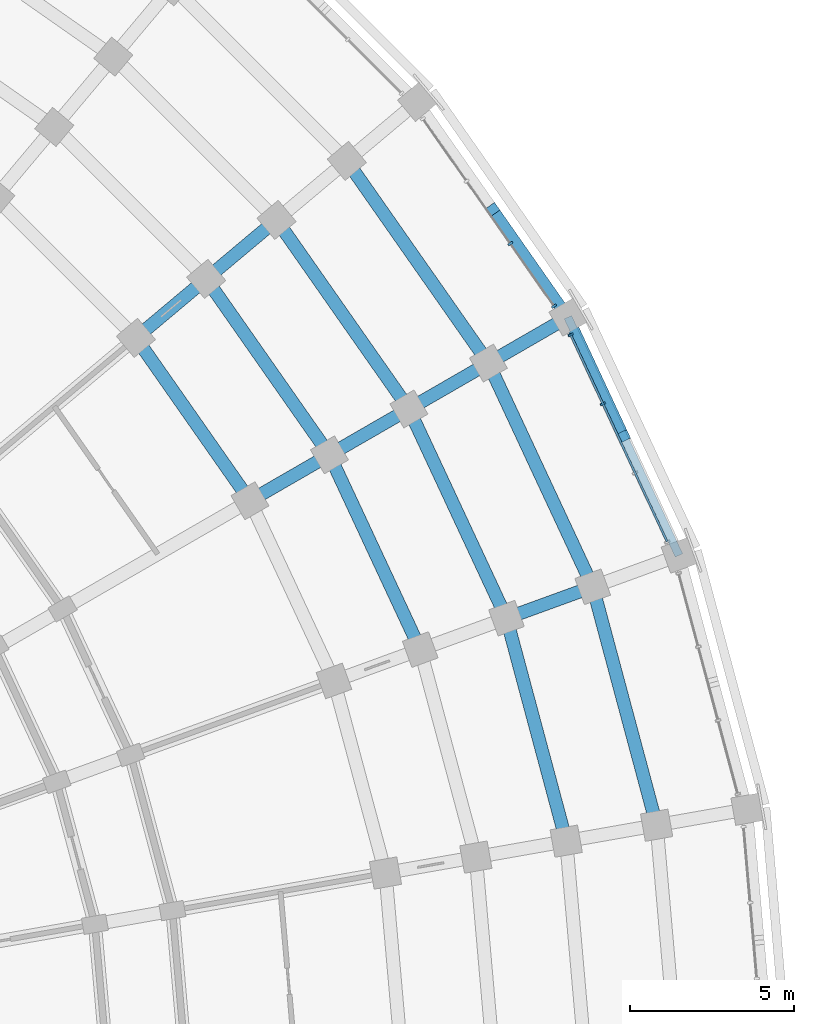
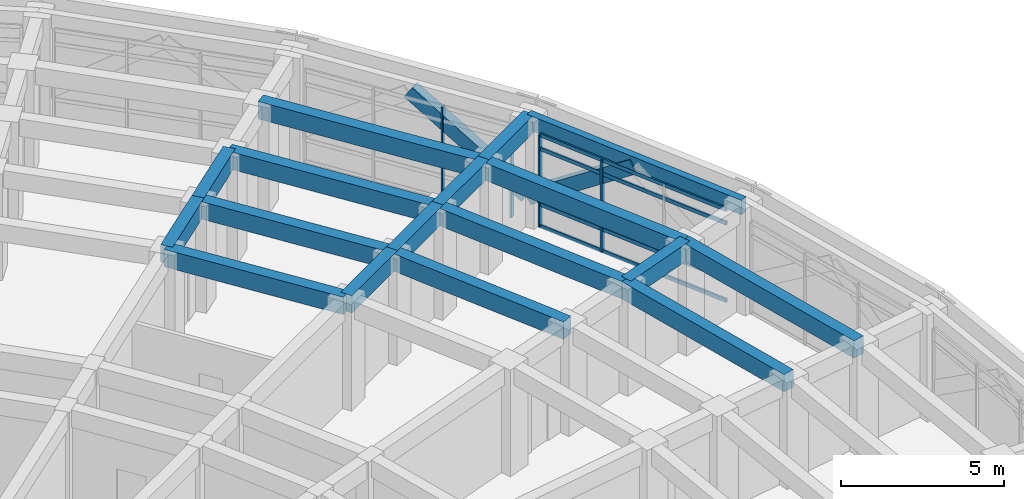
# One storey, part 34 of 97: 19 beams, 8 members, 2 elements without a shape of their own.
"""IFC4 building model written with IfcOpenShell, lengths in metres."""

from ifc_helpers import new_model, si_unit, direction, frame, origin, origin_2d, place, context, subcontext, project, spatial, rectangle, extrude, material, material_profile, profile_set, type_object, element, aggregate, save


model = new_model("IFC4")

# Units and contexts
model_context = context("Model", 3, precision=1e-05, world=origin(), true_north=direction((0.0, 1.0)))
body_context = subcontext(model_context, "Body", "Model", "MODEL_VIEW")
ifc_project = project(units=[si_unit("LENGTHUNIT", "METRE"), si_unit("AREAUNIT", "SQUARE_METRE"), si_unit("VOLUMEUNIT", "CUBIC_METRE"), si_unit("PLANEANGLEUNIT", "RADIAN"), si_unit("MASSUNIT", "GRAM", prefix="KILO")], contexts=[model_context])

# Site, building, storey
site_placement = place(None, origin())
site = spatial("IfcSite", under=ifc_project, at=site_placement, CompositionType="ELEMENT")
building_placement = place(site_placement, origin())
building = spatial("IfcBuilding", under=site, at=building_placement, Name="Kiranvali Square Residences", CompositionType="ELEMENT")
storey_placement = place(building_placement, frame((0.0, 0.0, 4.5)))
storey = spatial("IfcBuildingStorey", under=building, at=storey_placement, Name="L01", CompositionType="ELEMENT", Elevation=4.5)

# Beams
ifc_material_1 = material(Name="Concrete M40 (40 MPa)", Category="concrete")
ifc_material_profile_1 = material_profile(ifc_material_1, rectangle(XDim=0.35009765625, YDim=0.5, at=origin_2d()), Name="RC 350x500")
ifc_profile_set_1 = profile_set([ifc_material_profile_1], Name="Concrete M40 (40 MPa)")
beam_type_1 = type_object("IfcBeamType", Name="AR-M40-350x500", PredefinedType="USERDEFINED", material=ifc_profile_set_1)
beam_1_placement = place(storey_placement, frame((157.337646484375, 114.084228515625, 3.64990234375), z_axis=(0.47146348297, -0.673345915945, -0.569497551975), x_axis=(0.819162563309, 0.57356141334, 0.0)))
element("IfcBeam", 1, at=beam_1_placement, inside=storey, type_object=beam_type_1, Name="Classical pointed Ottoman arch rib ARCH-B-CRV-7-05.2", ObjectType="ARCH RIB", PredefinedType="USERDEFINED", context=body_context, shape_type="SweptSolid", body=[
    extrude(rectangle(XDim=0.35009765625, YDim=0.5, at=origin_2d()), origin(), (0.0, 0.0, 1.0), 4.828857421875),
])
beam_2_placement = place(storey_placement, frame((159.654052734375, 110.763671875, 0.89990234375), z_axis=(0.347401853205, -0.744959817365, 0.56951455021), x_axis=(0.906297821759, 0.422639631689, 0.0)))
element("IfcBeam", 2, at=beam_2_placement, inside=storey, type_object=beam_type_1, Name="Classical pointed Ottoman arch rib ARCH-B-CRV-7-06.1", ObjectType="ARCH RIB", PredefinedType="USERDEFINED", context=body_context, shape_type="SweptSolid", body=[
    extrude(rectangle(XDim=0.35009765625, YDim=0.5, at=origin_2d()), origin(), (0.0, 0.0, 1.0), 4.82861328125),
])
ifc_material_2 = material(Name="Concrete M45 (45 MPa)", Category="concrete")
ifc_material_profile_2 = material_profile(ifc_material_2, rectangle(XDim=0.39990234375, YDim=0.64990234375, at=origin_2d()), Name="RC 400x650")
ifc_profile_set_2 = profile_set([ifc_material_profile_2], Name="Concrete M45 (45 MPa)")
beam_type_2 = type_object("IfcBeamType", Name="BM-M45-400x650", PredefinedType="BEAM", material=ifc_profile_set_2)
beam_3_placement = place(storey_placement, frame((146.458251953125, 110.1689453125, 3.655029296875), z_axis=(0.573594691504, -0.81913926159, 0.0), x_axis=(0.81913926159, 0.573594691504, 0.0)))
element("IfcBeam", 3, at=beam_3_placement, inside=storey, type_object=beam_type_2, Name="L01 beam BM-B-L01-C05-R3", PredefinedType="BEAM", context=body_context, shape_type="SweptSolid", body=[
    extrude(rectangle(XDim=0.39990234375, YDim=0.64990234375, at=origin_2d()), origin(), (0.0, 0.0, 1.0), 6.066162109375),
])
beam_4_placement = place(storey_placement, frame((148.603271484375, 111.96875, 3.655029296875), z_axis=(0.573587340268, -0.819144409176, 0.0), x_axis=(0.819144409176, 0.573587340268, 0.0)))
element("IfcBeam", 4, at=beam_4_placement, inside=storey, type_object=beam_type_2, Name="L01 beam BM-B-L01-C05-R4", PredefinedType="BEAM", context=body_context, shape_type="SweptSolid", body=[
    extrude(rectangle(XDim=0.39990234375, YDim=0.64990234375, at=origin_2d()), origin(), (0.0, 0.0, 1.0), 6.553955078125),
])
beam_5_placement = place(storey_placement, frame((150.748291015625, 113.7685546875, 3.655029296875), z_axis=(0.57356471828, -0.819160249246, 0.0), x_axis=(0.819160249246, 0.57356471828, 0.0)))
element("IfcBeam", 5, at=beam_5_placement, inside=storey, type_object=beam_type_2, Name="L01 beam BM-B-L01-C05-R5", PredefinedType="BEAM", context=body_context, shape_type="SweptSolid", body=[
    extrude(rectangle(XDim=0.39990234375, YDim=0.64990234375, at=origin_2d()), origin(), (0.0, 0.0, 1.0), 7.0419921875),
])
beam_6_placement = place(storey_placement, frame((152.89306640625, 115.568359375, 3.655029296875), z_axis=(0.573588539275, -0.819143569597, 0.0), x_axis=(0.819143569597, 0.573588539275, 0.0)))
element("IfcBeam", 6, at=beam_6_placement, inside=storey, type_object=beam_type_2, Name="L01 beam BM-B-L01-C05-R6", PredefinedType="BEAM", context=body_context, shape_type="SweptSolid", body=[
    extrude(rectangle(XDim=0.39990234375, YDim=0.64990234375, at=origin_2d()), origin(), (0.0, 0.0, 1.0), 7.5302734375),
])
beam_7_placement = place(storey_placement, frame((152.362548828125, 106.60009765625, 3.655029296875), z_axis=(0.422595876255, -0.906318225223, 0.0), x_axis=(0.906318225223, 0.422595876255, 0.0)))
element("IfcBeam", 7, at=beam_7_placement, inside=storey, type_object=beam_type_2, Name="L01 beam BM-B-L01-C06-R4", PredefinedType="BEAM", context=body_context, shape_type="SweptSolid", body=[
    extrude(rectangle(XDim=0.39990234375, YDim=0.64990234375, at=origin_2d()), origin(), (0.0, 0.0, 1.0), 6.55419921875),
])
beam_8_placement = place(storey_placement, frame((154.787353515625, 108.0, 3.655029296875), z_axis=(0.422640621205, -0.906297360311, 0.0), x_axis=(0.906297360311, 0.422640621205, 0.0)))
element("IfcBeam", 8, at=beam_8_placement, inside=storey, type_object=beam_type_2, Name="L01 beam BM-B-L01-C06-R5", PredefinedType="BEAM", context=body_context, shape_type="SweptSolid", body=[
    extrude(rectangle(XDim=0.39990234375, YDim=0.64990234375, at=origin_2d()), origin(), (0.0, 0.0, 1.0), 7.042236328125),
])
beam_9_placement = place(storey_placement, frame((157.21240234375, 109.39990234375, 3.655029296875), z_axis=(0.422613886933, -0.90630982703, 0.0), x_axis=(0.90630982703, 0.422613886933, 0.0)))
element("IfcBeam", 9, at=beam_9_placement, inside=storey, type_object=beam_type_2, Name="L01 beam BM-B-L01-C06-R6", PredefinedType="BEAM", context=body_context, shape_type="SweptSolid", body=[
    extrude(rectangle(XDim=0.39990234375, YDim=0.64990234375, at=origin_2d()), origin(), (0.0, 0.0, 1.0), 7.5302734375),
])
beam_10_placement = place(storey_placement, frame((157.763671875, 101.61767578125, 3.655029296875), z_axis=(0.258799624492, -0.965931029817, 0.0), x_axis=(0.965931029817, 0.258799624492, 0.0)))
element("IfcBeam", 10, at=beam_10_placement, inside=storey, type_object=beam_type_2, Name="L01 beam BM-B-L01-C07-R5", PredefinedType="BEAM", context=body_context, shape_type="SweptSolid", body=[
    extrude(rectangle(XDim=0.39990234375, YDim=0.64990234375, at=origin_2d()), origin(), (0.0, 0.0, 1.0), 7.042236328125),
])
beam_11_placement = place(storey_placement, frame((160.394775390625, 102.5751953125, 3.655029296875), z_axis=(0.258818733833, -0.965925909693, 0.0), x_axis=(0.965925909693, 0.258818733833, 0.0)))
element("IfcBeam", 11, at=beam_11_placement, inside=storey, type_object=beam_type_2, Name="L01 beam BM-B-L01-C07-R6", PredefinedType="BEAM", context=body_context, shape_type="SweptSolid", body=[
    extrude(rectangle(XDim=0.39990234375, YDim=0.64990234375, at=origin_2d()), origin(), (0.0, 0.0, 1.0), 7.5302734375),
])
for number, where, z_axis, x_axis, name in (
    (12, (146.458251953125, 110.1689453125, 3.655029296875), (0.766058583359, 0.642770757628, 0.0), (-0.642770757628, 0.766058583359, 0.0), "L01 beam BM-B-L01-RAD05-34"),
    (13, (148.603271484375, 111.96875, 3.655029296875), (0.766058583359, 0.642770757628, 0.0), (-0.642770757628, 0.766058583359, 0.0), "L01 beam BM-B-L01-RAD05-45"),
    (14, (149.937744140625, 105.199951171875, 3.655029296875), (0.865996816683, 0.500049511043, 0.0), (-0.500049511043, 0.865996816683, 0.0), "L01 beam BM-B-L01-RAD06-34"),
):
    element("IfcBeam", number, at=place(storey_placement, frame(where, z_axis=z_axis, x_axis=x_axis)), inside=storey, type_object=beam_type_2, Name=name, PredefinedType="BEAM", context=body_context, shape_type="SweptSolid", body=[
        extrude(rectangle(XDim=0.39990234375, YDim=0.64990234375, at=origin_2d()), origin(), (0.0, 0.0, 1.0), 2.800048828125),
    ])
beam_12_placement = place(storey_placement, frame((152.362548828125, 106.60009765625, 3.655029296875), z_axis=(0.866034573852, 0.49998411664, 0.0), x_axis=(-0.49998411664, 0.866034573852, 0.0)))
element("IfcBeam", 15, at=beam_12_placement, inside=storey, type_object=beam_type_2, Name="L01 beam BM-B-L01-RAD06-45", PredefinedType="BEAM", context=body_context, shape_type="SweptSolid", body=[
    extrude(rectangle(XDim=0.39990234375, YDim=0.64990234375, at=origin_2d()), origin(), (0.0, 0.0, 1.0), 2.7998046875),
])
for number, where, z_axis, x_axis, name in (
    (16, (154.787353515625, 108.0, 3.655029296875), (0.866056369097, 0.49994636267, 0.0), (-0.49994636267, 0.866056369097, 0.0), "L01 beam BM-B-L01-RAD06-56"),
    (17, (157.21240234375, 109.39990234375, 3.655029296875), (0.865996816683, 0.500049511043, 0.0), (-0.500049511043, 0.865996816683, 0.0), "L01 beam BM-B-L01-RAD06-67"),
):
    element("IfcBeam", number, at=place(storey_placement, frame(where, z_axis=z_axis, x_axis=x_axis)), inside=storey, type_object=beam_type_2, Name=name, PredefinedType="BEAM", context=body_context, shape_type="SweptSolid", body=[
        extrude(rectangle(XDim=0.39990234375, YDim=0.64990234375, at=origin_2d()), origin(), (0.0, 0.0, 1.0), 2.800048828125),
    ])
beam_13_placement = place(storey_placement, frame((157.763671875, 101.61767578125, 3.655029296875), z_axis=(0.93970683422, 0.341981089711, 0.0), x_axis=(-0.341981089711, 0.93970683422, 0.0)))
element("IfcBeam", 18, at=beam_13_placement, inside=storey, type_object=beam_type_2, Name="L01 beam BM-B-L01-RAD07-56", PredefinedType="BEAM", context=body_context, shape_type="SweptSolid", body=[
    extrude(rectangle(XDim=0.39990234375, YDim=0.64990234375, at=origin_2d()), origin(), (0.0, 0.0, 1.0), 2.7998046875),
])

# Curtain wall, members
ifc_material_3 = material(Name="Anodised bronze aluminium framing", Category="aluminium")
curtain_wall_type = type_object("IfcCurtainWallType", Name="CW-RET-SHOP", PredefinedType="USERDEFINED", material=ifc_material_3)
curtain_wall_1_placement = place(storey_placement, origin())
curtain_wall_1 = element("IfcCurtainWall", 19, at=curtain_wall_1_placement, inside=storey, type_object=curtain_wall_type, Name="Block B L01 rounded-corner arcade curtain wall 6", ObjectType="CURTAIN WALL", PredefinedType="USERDEFINED")
ifc_material_profile_3 = material_profile(ifc_material_3, rectangle(XDim=0.06494140625, YDim=0.159912109375, at=origin_2d()), Name="ALU 65x160")
ifc_profile_set_3 = profile_set([ifc_material_profile_3], Name="Anodised bronze aluminium framing")
member_type_1 = type_object("IfcMemberType", Name="CW-MUL-160", PredefinedType="MULLION", material=ifc_profile_set_3)
member_1_placement = place(storey_placement, frame((157.8818359375, 113.04541015625, 0.02001953125), z_axis=(0.0, 0.0, 1.0), x_axis=(0.573576436351, -0.819152044289, 0.0)))
member_1 = element("IfcMember", 20, at=member_1_placement, type_object=member_type_1, Name="CW-B-L01-CRV-05 vertical mullion 3", PredefinedType="MULLION", context=body_context, shape_type="SweptSolid", body=[
    extrude(rectangle(XDim=0.06494140625, YDim=0.159912109375, at=origin_2d()), origin(), (0.0, 0.0, 1.0), 3.43994140625),
])
member_2_placement = place(storey_placement, frame((159.216064453125, 111.139892578125, 0.02001953125), z_axis=(0.0, 0.0, 1.0), x_axis=(0.573576436351, -0.819152044289, 0.0)))
member_2 = element("IfcMember", 21, at=member_2_placement, type_object=member_type_1, Name="CW-B-L01-CRV-05 vertical mullion 4", PredefinedType="MULLION", context=body_context, shape_type="SweptSolid", body=[
    extrude(rectangle(XDim=0.06494140625, YDim=0.159912109375, at=origin_2d()), origin(), (0.0, 0.0, 1.0), 3.43994140625),
])
aggregate(curtain_wall_1, [member_1, member_2])

curtain_wall_2_placement = place(storey_placement, origin())
curtain_wall_2 = element("IfcCurtainWall", 22, at=curtain_wall_2_placement, inside=storey, type_object=curtain_wall_type, Name="Block B L01 rounded-corner arcade curtain wall 7", ObjectType="CURTAIN WALL", PredefinedType="USERDEFINED")
member_3_placement = place(storey_placement, frame((159.720947265625, 110.265380859375, 0.02001953125), z_axis=(0.0, 0.0, 1.0), x_axis=(0.422618261741, -0.906307787037, 0.0)))
member_3 = element("IfcMember", 23, at=member_3_placement, type_object=member_type_1, Name="CW-B-L01-CRV-06 vertical mullion 1", PredefinedType="MULLION", context=body_context, shape_type="SweptSolid", body=[
    extrude(rectangle(XDim=0.06494140625, YDim=0.159912109375, at=origin_2d()), origin(), (0.0, 0.0, 1.0), 3.43994140625),
])
member_4_placement = place(storey_placement, frame((160.7041015625, 108.1572265625, 0.02001953125), z_axis=(0.0, 0.0, 1.0), x_axis=(0.422618261741, -0.906307787037, 0.0)))
member_4 = element("IfcMember", 24, at=member_4_placement, type_object=member_type_1, Name="CW-B-L01-CRV-06 vertical mullion 2", PredefinedType="MULLION", context=body_context, shape_type="SweptSolid", body=[
    extrude(rectangle(XDim=0.06494140625, YDim=0.159912109375, at=origin_2d()), origin(), (0.0, 0.0, 1.0), 3.43994140625),
])
ifc_material_profile_4 = material_profile(ifc_material_3, rectangle(XDim=0.06494140625, YDim=0.139892578125, at=origin_2d()), Name="ALU 65x140")
ifc_profile_set_4 = profile_set([ifc_material_profile_4], Name="Anodised bronze aluminium framing")
member_type_2 = type_object("IfcMemberType", Name="CW-TRN-140", PredefinedType="MULLION", material=ifc_profile_set_4)
member_5_placement = place(storey_placement, frame((159.72509765625, 110.25634765625, 0.0400390625), z_axis=(0.422641515237, -0.90629694339, 0.0), x_axis=(0.90629694339, 0.422641515237, 0.0)))
member_5 = element("IfcMember", 25, at=member_5_placement, type_object=member_type_2, Name="CW-B-L01-CRV-06 horizontal transom 1", PredefinedType="MULLION", context=body_context, shape_type="SweptSolid", body=[
    extrude(rectangle(XDim=0.06494140625, YDim=0.139892578125, at=origin_2d()), origin(), (0.0, 0.0, 1.0), 6.95849609375),
])
member_6_placement = place(storey_placement, frame((159.72509765625, 110.25634765625, 0.85009765625), z_axis=(0.422641515237, -0.90629694339, 0.0), x_axis=(0.90629694339, 0.422641515237, 0.0)))
member_6 = element("IfcMember", 26, at=member_6_placement, type_object=member_type_2, Name="CW-B-L01-CRV-06 horizontal transom 2", PredefinedType="MULLION", context=body_context, shape_type="SweptSolid", body=[
    extrude(rectangle(XDim=0.06494140625, YDim=0.139892578125, at=origin_2d()), origin(), (0.0, 0.0, 1.0), 6.95849609375),
])
member_7_placement = place(storey_placement, frame((159.72509765625, 110.25634765625, 2.929931640625), z_axis=(0.422641515237, -0.90629694339, 0.0), x_axis=(0.90629694339, 0.422641515237, 0.0)))
member_7 = element("IfcMember", 27, at=member_7_placement, type_object=member_type_2, Name="CW-B-L01-CRV-06 horizontal transom 3", PredefinedType="MULLION", context=body_context, shape_type="SweptSolid", body=[
    extrude(rectangle(XDim=0.06494140625, YDim=0.139892578125, at=origin_2d()), origin(), (0.0, 0.0, 1.0), 6.95849609375),
])
member_8_placement = place(storey_placement, frame((159.72509765625, 110.25634765625, 3.43994140625), z_axis=(0.422641515237, -0.90629694339, 0.0), x_axis=(0.90629694339, 0.422641515237, 0.0)))
member_8 = element("IfcMember", 28, at=member_8_placement, type_object=member_type_2, Name="CW-B-L01-CRV-06 horizontal transom 4", PredefinedType="MULLION", context=body_context, shape_type="SweptSolid", body=[
    extrude(rectangle(XDim=0.06494140625, YDim=0.139892578125, at=origin_2d()), origin(), (0.0, 0.0, 1.0), 6.95849609375),
])
aggregate(curtain_wall_2, [member_3, member_4, member_5, member_6, member_7, member_8])

# Beam
ifc_material_profile_5 = material_profile(ifc_material_1, rectangle(XDim=0.25, YDim=0.550048828125, at=origin_2d()), Name="RC 250x550")
ifc_profile_set_5 = profile_set([ifc_material_profile_5], Name="Concrete M40 (40 MPa)")
beam_type_3 = type_object("IfcBeamType", Name="SPN-M40-250x550", PredefinedType="SPANDREL", material=ifc_profile_set_5)
beam_14_placement = place(storey_placement, frame((159.63720703125, 110.800048828125, 3.705078125), z_axis=(0.422615416827, -0.906309113636, 0.0), x_axis=(0.906309113636, 0.422615416827, 0.0)))
element("IfcBeam", 29, at=beam_14_placement, inside=storey, type_object=beam_type_3, Name="L01 beam BM-B-L01-C06-R7", PredefinedType="SPANDREL", context=body_context, shape_type="SweptSolid", body=[
    extrude(rectangle(XDim=0.25, YDim=0.550048828125, at=origin_2d()), origin(), (0.0, 0.0, 1.0), 8.018310546875),
])

save(model, "model.ifc")
